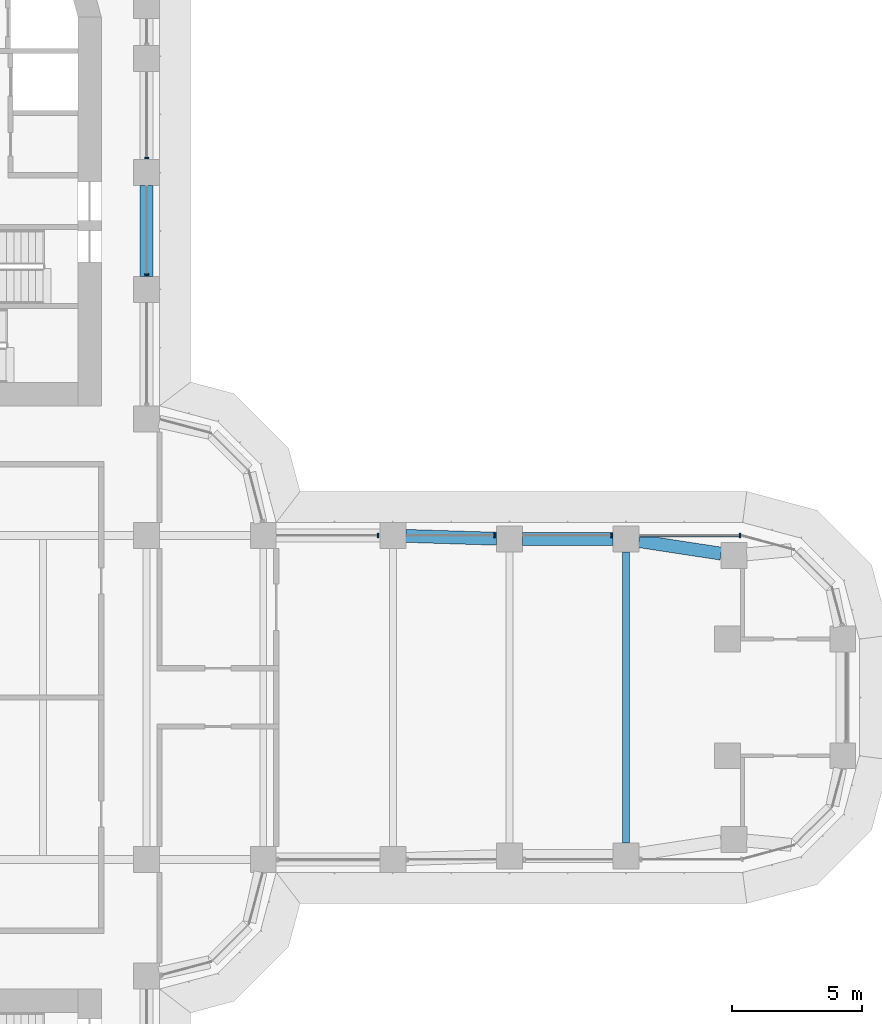
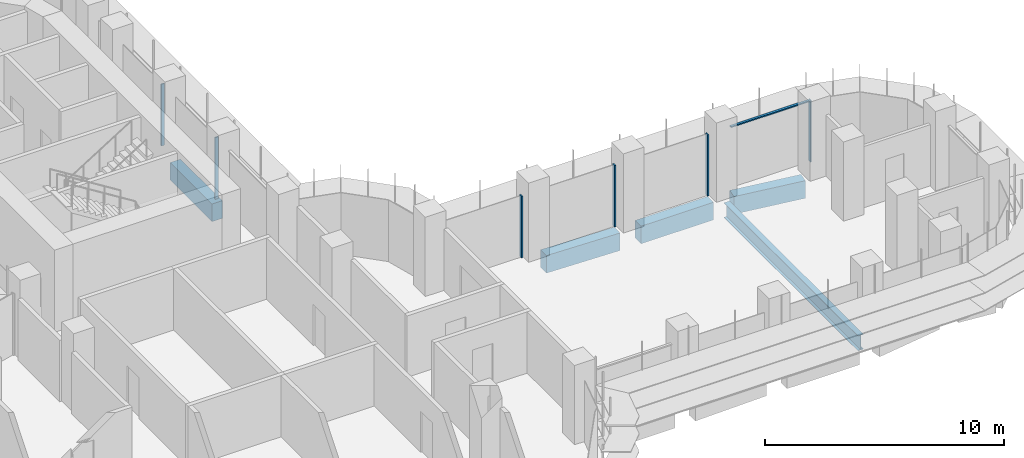
# One storey, part 9 of 23: 7 members, 5 beams, 2 elements without a shape of their own.
"""IFC4 building model written with IfcOpenShell, lengths in metres."""

from ifc_helpers import new_model, si_unit, direction, frame, origin, origin_2d, place, context, subcontext, project, spatial, polyline, rectangle, i_section, outline, extrude, source, transform, mapped, material, material_profile, profile_set, type_object, element, aggregate, save


model = new_model("IFC4")

# Units and contexts
model_context = context("Model", 3, precision=1e-05, world=origin(), true_north=direction((0.0, 1.0)))
body_context = subcontext(model_context, "Body", "Model", "MODEL_VIEW")
ifc_project = project(units=[si_unit("LENGTHUNIT", "METRE"), si_unit("AREAUNIT", "SQUARE_METRE"), si_unit("VOLUMEUNIT", "CUBIC_METRE"), si_unit("PLANEANGLEUNIT", "RADIAN"), si_unit("MASSUNIT", "GRAM", prefix="KILO")], contexts=[model_context])

# Site, building, storey
site_placement = place(None, origin())
site = spatial("IfcSite", under=ifc_project, at=site_placement, CompositionType="ELEMENT")
building_placement = place(site_placement, origin())
building = spatial("IfcBuilding", under=site, at=building_placement, Name="Zarbagh Exchange Tower", CompositionType="ELEMENT")
storey_placement = place(building_placement, frame((0.0, 0.0, 60.60009765625)))
storey = spatial("IfcBuildingStorey", under=building, at=storey_placement, Name="L13", CompositionType="ELEMENT", Elevation=60.60009765625)

# Beams
ifc_material_1 = material(Name="Steel ASTM A992 Gr 50", Category="steel")
ifc_material_profile_1 = material_profile(ifc_material_1, i_section(OverallWidth=0.2666015625, OverallDepth=0.76708984375, WebThickness=0.014892578125, FlangeThickness=0.023681640625, at=origin_2d()), Name="W30X124")
ifc_profile_set_1 = profile_set([ifc_material_profile_1], Name="Steel ASTM A992 Gr 50")
beam_type_1 = type_object("IfcBeamType", Name="Floor beam W30X124", PredefinedType="BEAM", material=ifc_profile_set_1)
beam_1_placement = place(storey_placement, frame((24.75, -5.610107421875, -0.53369140625), z_axis=(0.0, 1.0, 0.0), x_axis=(-1.0, 0.0, 0.0)))
element("IfcBeam", 1, at=beam_1_placement, inside=storey, type_object=beam_type_1, Name="Steel floor beam", PredefinedType="BEAM", context=body_context, shape_type="SweptSolid", body=[
    extrude(i_section(OverallWidth=0.2666015625, OverallDepth=0.76708984375, WebThickness=0.014892578125, FlangeThickness=0.023681640625, at=origin_2d()), origin(), (0.0, 0.0, 1.0), 11.22021484375),
])
ifc_material_2 = material(Name="Concrete C60/75", Category="concrete")
ifc_material_profile_2 = material_profile(ifc_material_2, rectangle(XDim=0.5, YDim=0.89990234375, at=origin_2d()), Name="RC spandrel beam 500 x 900 C60/75")
ifc_profile_set_2 = profile_set([ifc_material_profile_2], Name="Concrete C60/75")
beam_type_2 = type_object("IfcBeamType", Name="RC spandrel beam 500 x 900 C60/75", PredefinedType="SPANDREL", material=ifc_profile_set_2)
beam_2_placement = place(storey_placement, frame((6.25, 19.75, -0.60009765625), z_axis=(0.0, -1.0, 0.0), x_axis=(1.0, 0.0, 0.0)))
element("IfcBeam", 2, at=beam_2_placement, inside=storey, type_object=beam_type_2, Name="RC spandrel beam", PredefinedType="SPANDREL", context=body_context, shape_type="SweptSolid", body=[
    extrude(rectangle(XDim=0.5, YDim=0.89990234375, at=origin_2d()), origin(), (0.0, 0.0, 1.0), 3.5),
])
beam_3_placement = place(storey_placement, frame((16.249755859375, 6.234619140625, -0.60009765625), z_axis=(0.999514385708, -0.031160756759, 0.0), x_axis=(0.031160756759, 0.999514385708, 0.0)))
element("IfcBeam", 3, at=beam_3_placement, inside=storey, type_object=beam_type_2, Name="RC spandrel beam", PredefinedType="SPANDREL", context=body_context, shape_type="SweptSolid", body=[
    extrude(rectangle(XDim=0.5, YDim=0.89990234375, at=origin_2d()), origin(), (0.0, 0.0, 1.0), 3.502197265625),
])
beam_4_placement = place(storey_placement, frame((20.75, 6.110107421875, -0.60009765625), z_axis=(1.0, 0.0, 0.0), x_axis=(0.0, 1.0, 0.0)))
element("IfcBeam", 4, at=beam_4_placement, inside=storey, type_object=beam_type_2, Name="RC spandrel beam", PredefinedType="SPANDREL", context=body_context, shape_type="SweptSolid", body=[
    extrude(rectangle(XDim=0.5, YDim=0.89990234375, at=origin_2d()), origin(), (0.0, 0.0, 1.0), 3.5),
])
beam_5_placement = place(storey_placement, frame((25.244384765625, 6.034423828125, -0.60009765625), z_axis=(0.988545350976, -0.150924116903, 0.0), x_axis=(0.150924116903, 0.988545350976, 0.0)))
element("IfcBeam", 5, at=beam_5_placement, inside=storey, type_object=beam_type_2, Name="RC spandrel beam", PredefinedType="SPANDREL", context=body_context, shape_type="SweptSolid", body=[
    extrude(rectangle(XDim=0.5, YDim=0.89990234375, at=origin_2d()), origin(), (0.0, 0.0, 1.0), 3.2060546875),
])

# Curtain wall, members
ifc_material_3 = material(Name="Anodised aluminium frame and glazing", Category="aluminium")
curtain_wall_type = type_object("IfcCurtainWallType", Name="CWA Ribbon glazing, lower zones", PredefinedType="NOTDEFINED", material=ifc_material_3)
curtain_wall_1_placement = place(storey_placement, origin())
curtain_wall_1 = element("IfcCurtainWall", 6, at=curtain_wall_1_placement, inside=storey, type_object=curtain_wall_type, Name="CWA16 curtain wall", PredefinedType="NOTDEFINED")
ifc_material_4 = material(Name="Anodised aluminium frame", Category="aluminium")
member_type_1 = type_object("IfcMemberType", Name="MUA Mullion, anodised aluminium frame", PredefinedType="MULLION", material=ifc_material_4)
shared_shape_1 = source(origin(), body_context, "Body", "SweptSolid", [
    extrude(outline(polyline([(0.0, -0.080078125), (0.06005859375, -0.080078125), (0.06005859375, 0.080078125), (0.0, 0.080078125), (0.0, -0.080078125)])), origin(), (0.0, 0.0, 1.0), 3.14990234375),
])
placement = place(storey_placement, origin())
member_1 = element("IfcMember", 7, at=placement, type_object=member_type_1, Name="CWA16 mullion 1.1", PredefinedType="MULLION", context=body_context, shape_type="MappedRepresentation", body=[
    mapped(shared_shape_1, transform((29.18408203125, 6.25, 0.0), x_axis=(-1.0, 0.0, 0.0), y_axis=(0.0, -1.0, 0.0), z_axis=(0.0, 0.0, 1.0))),
])
member_2 = element("IfcMember", 8, at=placement, type_object=member_type_1, Name="CWA16 mullion 2.1", PredefinedType="MULLION", context=body_context, shape_type="MappedRepresentation", body=[
    mapped(shared_shape_1, transform((24.2099609375, 6.25, 0.0), x_axis=(-1.0, 0.0, 0.0), y_axis=(0.0, -1.0, 0.0), z_axis=(0.0, 0.0, 1.0))),
])
member_3 = element("IfcMember", 9, at=placement, type_object=member_type_1, Name="CWA16 mullion 3.1", PredefinedType="MULLION", context=body_context, shape_type="MappedRepresentation", body=[
    mapped(shared_shape_1, transform((19.7099609375, 6.25, 0.0), x_axis=(-1.0, 0.0, 0.0), y_axis=(0.0, -1.0, 0.0), z_axis=(0.0, 0.0, 1.0))),
])
member_4 = element("IfcMember", 10, at=placement, type_object=member_type_1, Name="CWA16 mullion 4.1", PredefinedType="MULLION", context=body_context, shape_type="MappedRepresentation", body=[
    mapped(shared_shape_1, transform((15.2099609375, 6.25, 0.0), x_axis=(-1.0, 0.0, 0.0), y_axis=(0.0, -1.0, 0.0), z_axis=(0.0, 0.0, 1.0))),
])

curtain_wall_2_placement = place(storey_placement, origin())
curtain_wall_2 = element("IfcCurtainWall", 11, at=curtain_wall_2_placement, inside=storey, type_object=curtain_wall_type, Name="CWA20 curtain wall", PredefinedType="NOTDEFINED")
member_5 = element("IfcMember", 12, at=placement, type_object=member_type_1, Name="CWA20 mullion 2.1", PredefinedType="MULLION", context=body_context, shape_type="MappedRepresentation", body=[
    mapped(shared_shape_1, transform((6.25, 16.2900390625, 0.0), x_axis=(0.0, 1.0, 0.0), y_axis=(-1.0, 0.0, 0.0), z_axis=(0.0, 0.0, 1.0))),
])
member_6 = element("IfcMember", 13, at=placement, type_object=member_type_1, Name="CWA20 mullion 3.1", PredefinedType="MULLION", context=body_context, shape_type="MappedRepresentation", body=[
    mapped(shared_shape_1, transform((6.25, 20.7900390625, 0.0), x_axis=(0.0, 1.0, 0.0), y_axis=(-1.0, 0.0, 0.0), z_axis=(0.0, 0.0, 1.0))),
])
aggregate(curtain_wall_2, [member_5, member_6])

# Member
member_type_2 = type_object("IfcMemberType", Name="TRA Transom, anodised aluminium frame", PredefinedType="USERDEFINED", material=ifc_material_4)
shared_shape_2 = source(origin(), body_context, "Body", "SweptSolid", [
    extrude(outline(polyline([(-0.06005859375, -0.06005859375), (0.0, -0.06005859375), (0.0, 0.06005859375), (-0.06005859375, 0.06005859375), (-0.06005859375, -0.06005859375)])), origin(), (0.0, 0.0, 1.0), 3.834228515625),
])
member_7 = element("IfcMember", 14, at=placement, type_object=member_type_2, Name="CWA16 transom 1.1", ObjectType="TRANSOM", PredefinedType="USERDEFINED", context=body_context, shape_type="MappedRepresentation", body=[
    mapped(shared_shape_2, transform((29.124267578125, 6.25, 3.14990234375), x_axis=(0.0, 0.0, 1.0), y_axis=(0.0, 1.0, 0.0), z_axis=(-1.0, 0.0, 0.0))),
])

aggregate(curtain_wall_1, [member_1, member_7, member_2, member_3, member_4])

save(model, "model.ifc")
